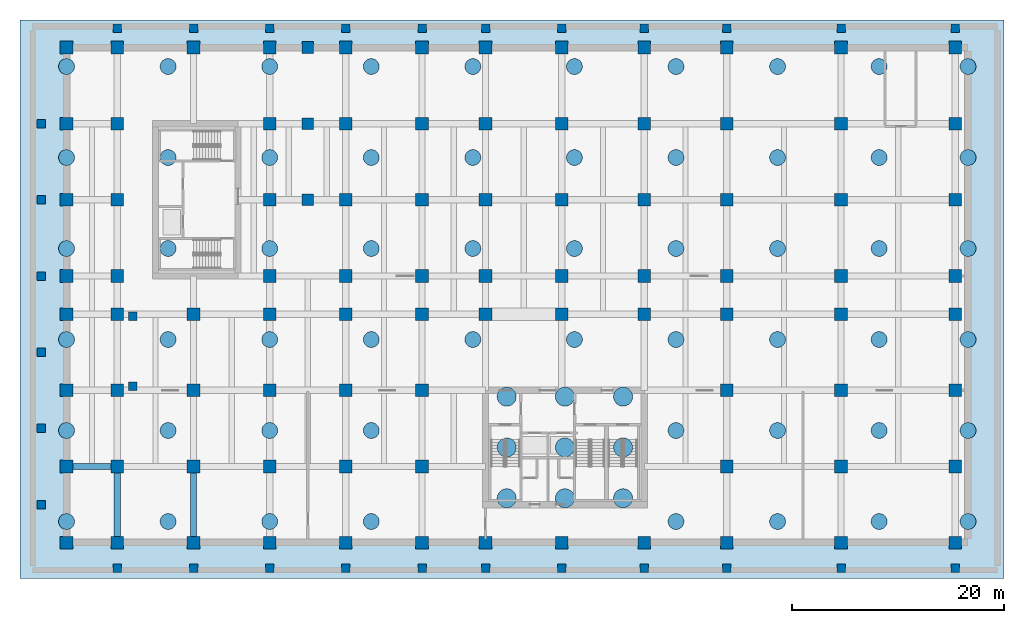
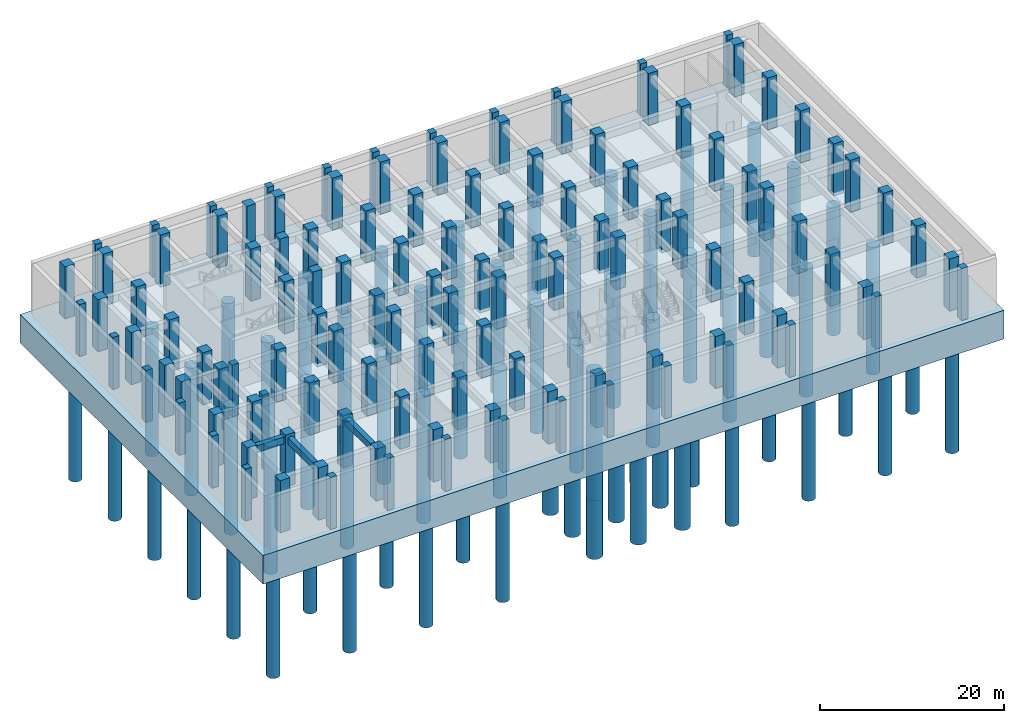
# One storey, part 1 of 13: 120 columns, 65 piles, 3 beams, 1 footing.
"""IFC4 building model written with IfcOpenShell, lengths in metres."""

from ifc_helpers import new_model, si_unit, derived_unit, direction, frame, origin, origin_2d, place, context, subcontext, project, spatial, polyline, rectangle, circle, outline, extrude, source, transform, mapped, material, layer, layer_set, material_profile, profile_set, type_object, type_shapes, element, save


model = new_model("IFC4")

# Units and contexts
model_context = context("Model", 3, precision=1e-05, world=origin(), true_north=direction((0.0, 1.0)))
body_context = subcontext(model_context, "Body", "Model", "MODEL_VIEW")
ifc_project = project(units=[si_unit("LENGTHUNIT", "METRE"), si_unit("AREAUNIT", "SQUARE_METRE"), si_unit("VOLUMEUNIT", "CUBIC_METRE"), si_unit("PLANEANGLEUNIT", "RADIAN"), si_unit("MASSUNIT", "GRAM", prefix="KILO"), si_unit("THERMODYNAMICTEMPERATUREUNIT", "KELVIN"), si_unit("POWERUNIT", "WATT"), derived_unit("THERMALTRANSMITTANCEUNIT", [(si_unit("POWERUNIT", "WATT"), 1), (si_unit("AREAUNIT", "SQUARE_METRE"), -1), (si_unit("THERMODYNAMICTEMPERATUREUNIT", "KELVIN"), -1)])], contexts=[model_context])

# Site, building, storey
site_placement = place(None, origin())
site = spatial("IfcSite", under=ifc_project, at=site_placement, CompositionType="ELEMENT")
building_placement = place(site_placement, origin())
building = spatial("IfcBuilding", under=site, at=building_placement, Name="Zahravan Archway Hotel and Residences", CompositionType="ELEMENT")
storey_placement = place(building_placement, frame((0.0, 0.0, -13.0)))
storey = spatial("IfcBuildingStorey", under=building, at=storey_placement, Name="B02", CompositionType="ELEMENT", Elevation=-13.0)

# Footing
ifc_material_1 = material(Name="Concrete C50/60", Category="concrete")
ifc_layer = layer(ifc_material_1, 3.800048828125, Name="Concrete C50/60", Category="concrete")
ifc_layer_set = layer_set([ifc_layer], Name="Concrete C50/60")
footing_type = type_object("IfcFootingType", Name="FT-RAFT-3800", PredefinedType="PAD_FOOTING", material=ifc_layer_set)
footing_placement = place(storey_placement, frame((0.0, 0.0, -4.199951171875)))
element("IfcFooting", 1, at=footing_placement, inside=storey, type_object=footing_type, Name="B02 Unified Piled Raft Foundation 3800 mm", PredefinedType="PAD_FOOTING", context=body_context, shape_type="SweptSolid", body=[
    extrude(outline(polyline([(-9.199951171875, -3.39990234375), (83.800048828125, -3.39990234375), (83.800048828125, 49.39990234375), (-9.199951171875, 49.39990234375), (-9.199951171875, -3.39990234375)])), origin(), (0.0, 0.0, 1.0), 3.800048828125),
])

# Piles
ifc_material_profile_1 = material_profile(ifc_material_1, circle(Radius=0.89990234375, at=origin_2d()), Name="PILE D1800", Category="concrete")
ifc_profile_set_1 = profile_set([ifc_material_profile_1], Name="Concrete C50/60")
pile_type_1 = type_object("IfcPileType", Name="BP-1800", PredefinedType="BORED", material=ifc_profile_set_1)
shared_shape_1 = source(origin(), body_context, "Body", "SweptSolid", [
    extrude(circle(Radius=0.89990234375, at=origin_2d()), origin(), (0.0, 0.0, 1.0), 16.949951171875),
])
type_shapes(pile_type_1, [shared_shape_1])
for number, where, z_axis, x_axis, name in (
    (2, (36.800048828125, 4.199951171875, -4.050048828125), (0.0, 0.0, -1.0), (1.0, 0.0, 0.0), "Core A Bored Pile BP-1800-01"),
    (3, (36.800048828125, 9.0, -4.050048828125), (0.0, 0.0, -1.0), (1.0, 0.0, 0.0), "Core A Bored Pile BP-1800-02"),
    (4, (36.800048828125, 13.800048828125, -4.050048828125), (0.0, 0.0, -1.0), (1.0, 0.0, 0.0), "Core A Bored Pile BP-1800-03"),
    (5, (42.300048828125, 4.199951171875, -4.050048828125), (0.0, 0.0, -1.0), (1.0, 0.0, 0.0), "Core A Bored Pile BP-1800-04"),
    (6, (42.300048828125, 9.0, -4.050048828125), (0.0, 0.0, -1.0), (1.0, 0.0, 0.0), "Core A Bored Pile BP-1800-05"),
    (7, (42.300048828125, 13.800048828125, -4.050048828125), (0.0, 0.0, -1.0), (1.0, 0.0, 0.0), "Core A Bored Pile BP-1800-06"),
    (8, (47.800048828125, 4.199951171875, -4.050048828125), (0.0, 0.0, -1.0), (1.0, 0.0, 0.0), "Core A Bored Pile BP-1800-07"),
    (9, (47.800048828125, 9.0, -4.050048828125), (0.0, 0.0, -1.0), (1.0, 0.0, 0.0), "Core A Bored Pile BP-1800-08"),
    (10, (47.800048828125, 13.800048828125, -4.050048828125), (0.0, 0.0, -1.0), (1.0, 0.0, 0.0), "Core A Bored Pile BP-1800-09"),
):
    element("IfcPile", number, at=place(storey_placement, frame(where, z_axis=z_axis, x_axis=x_axis)), inside=storey, type_object=pile_type_1, Name=name, PredefinedType="BORED", context=body_context, shape_type="MappedRepresentation", body=[
        mapped(shared_shape_1, transform((0.0, 0.0, 0.0), scale=1.0)),
    ])
ifc_material_profile_2 = material_profile(ifc_material_1, circle(Radius=0.75, at=origin_2d()), Name="PILE D1500", Category="concrete")
ifc_profile_set_2 = profile_set([ifc_material_profile_2], Name="Concrete C50/60")
pile_type_2 = type_object("IfcPileType", Name="BP-1500", PredefinedType="BORED", material=ifc_profile_set_2)
shared_shape_2 = source(origin(), body_context, "Body", "SweptSolid", [
    extrude(circle(Radius=0.75, at=origin_2d()), origin(), (0.0, 0.0, 1.0), 16.949951171875),
])
type_shapes(pile_type_2, [shared_shape_2])
for number, where, z_axis, x_axis, name in (
    (11, (-4.800048828125, 2.0, -4.050048828125), (0.0, 0.0, -1.0), (1.0, 0.0, 0.0), "Tower & Station Bored Pile BP-1500-01"),
    (12, (-4.800048828125, 10.60009765625, -4.050048828125), (0.0, 0.0, -1.0), (1.0, 0.0, 0.0), "Tower & Station Bored Pile BP-1500-02"),
    (13, (-4.800048828125, 19.199951171875, -4.050048828125), (0.0, 0.0, -1.0), (1.0, 0.0, 0.0), "Tower & Station Bored Pile BP-1500-03"),
    (14, (-4.800048828125, 27.800048828125, -4.050048828125), (0.0, 0.0, -1.0), (1.0, 0.0, 0.0), "Tower & Station Bored Pile BP-1500-04"),
    (15, (-4.800048828125, 36.39990234375, -4.050048828125), (0.0, 0.0, -1.0), (1.0, 0.0, 0.0), "Tower & Station Bored Pile BP-1500-05"),
    (16, (-4.800048828125, 45.0, -4.050048828125), (0.0, 0.0, -1.0), (1.0, 0.0, 0.0), "Tower & Station Bored Pile BP-1500-06"),
    (17, (4.800048828125, 2.0, -4.050048828125), (0.0, 0.0, -1.0), (1.0, 0.0, 0.0), "Tower & Station Bored Pile BP-1500-07"),
    (18, (4.800048828125, 10.60009765625, -4.050048828125), (0.0, 0.0, -1.0), (1.0, 0.0, 0.0), "Tower & Station Bored Pile BP-1500-08"),
    (19, (4.800048828125, 19.199951171875, -4.050048828125), (0.0, 0.0, -1.0), (1.0, 0.0, 0.0), "Tower & Station Bored Pile BP-1500-09"),
    (20, (4.800048828125, 27.800048828125, -4.050048828125), (0.0, 0.0, -1.0), (1.0, 0.0, 0.0), "Tower & Station Bored Pile BP-1500-10"),
    (21, (4.800048828125, 36.39990234375, -4.050048828125), (0.0, 0.0, -1.0), (1.0, 0.0, 0.0), "Tower & Station Bored Pile BP-1500-11"),
    (22, (4.800048828125, 45.0, -4.050048828125), (0.0, 0.0, -1.0), (1.0, 0.0, 0.0), "Tower & Station Bored Pile BP-1500-12"),
    (23, (14.39990234375, 2.0, -4.050048828125), (0.0, 0.0, -1.0), (1.0, 0.0, 0.0), "Tower & Station Bored Pile BP-1500-13"),
    (24, (14.39990234375, 10.60009765625, -4.050048828125), (0.0, 0.0, -1.0), (1.0, 0.0, 0.0), "Tower & Station Bored Pile BP-1500-14"),
    (25, (14.39990234375, 19.199951171875, -4.050048828125), (0.0, 0.0, -1.0), (1.0, 0.0, 0.0), "Tower & Station Bored Pile BP-1500-15"),
    (26, (14.39990234375, 27.800048828125, -4.050048828125), (0.0, 0.0, -1.0), (1.0, 0.0, 0.0), "Tower & Station Bored Pile BP-1500-16"),
    (27, (14.39990234375, 36.39990234375, -4.050048828125), (0.0, 0.0, -1.0), (1.0, 0.0, 0.0), "Tower & Station Bored Pile BP-1500-17"),
    (28, (14.39990234375, 45.0, -4.050048828125), (0.0, 0.0, -1.0), (1.0, 0.0, 0.0), "Tower & Station Bored Pile BP-1500-18"),
    (29, (24.0, 2.0, -4.050048828125), (0.0, 0.0, -1.0), (1.0, 0.0, 0.0), "Tower & Station Bored Pile BP-1500-19"),
    (30, (24.0, 10.60009765625, -4.050048828125), (0.0, 0.0, -1.0), (1.0, 0.0, 0.0), "Tower & Station Bored Pile BP-1500-20"),
    (31, (24.0, 19.199951171875, -4.050048828125), (0.0, 0.0, -1.0), (1.0, 0.0, 0.0), "Tower & Station Bored Pile BP-1500-21"),
    (32, (24.0, 27.800048828125, -4.050048828125), (0.0, 0.0, -1.0), (1.0, 0.0, 0.0), "Tower & Station Bored Pile BP-1500-22"),
    (33, (24.0, 36.39990234375, -4.050048828125), (0.0, 0.0, -1.0), (1.0, 0.0, 0.0), "Tower & Station Bored Pile BP-1500-23"),
    (34, (24.0, 45.0, -4.050048828125), (0.0, 0.0, -1.0), (1.0, 0.0, 0.0), "Tower & Station Bored Pile BP-1500-24"),
    (35, (33.60009765625, 19.199951171875, -4.050048828125), (0.0, 0.0, -1.0), (1.0, 0.0, 0.0), "Tower & Station Bored Pile BP-1500-25"),
    (36, (33.60009765625, 27.800048828125, -4.050048828125), (0.0, 0.0, -1.0), (1.0, 0.0, 0.0), "Tower & Station Bored Pile BP-1500-26"),
    (37, (33.60009765625, 36.39990234375, -4.050048828125), (0.0, 0.0, -1.0), (1.0, 0.0, 0.0), "Tower & Station Bored Pile BP-1500-27"),
    (38, (33.60009765625, 45.0, -4.050048828125), (0.0, 0.0, -1.0), (1.0, 0.0, 0.0), "Tower & Station Bored Pile BP-1500-28"),
    (39, (43.199951171875, 19.199951171875, -4.050048828125), (0.0, 0.0, -1.0), (1.0, 0.0, 0.0), "Tower & Station Bored Pile BP-1500-29"),
    (40, (43.199951171875, 27.800048828125, -4.050048828125), (0.0, 0.0, -1.0), (1.0, 0.0, 0.0), "Tower & Station Bored Pile BP-1500-30"),
    (41, (43.199951171875, 36.39990234375, -4.050048828125), (0.0, 0.0, -1.0), (1.0, 0.0, 0.0), "Tower & Station Bored Pile BP-1500-31"),
    (42, (43.199951171875, 45.0, -4.050048828125), (0.0, 0.0, -1.0), (1.0, 0.0, 0.0), "Tower & Station Bored Pile BP-1500-32"),
    (43, (52.800048828125, 2.0, -4.050048828125), (0.0, 0.0, -1.0), (1.0, 0.0, 0.0), "Tower & Station Bored Pile BP-1500-33"),
    (44, (52.800048828125, 10.60009765625, -4.050048828125), (0.0, 0.0, -1.0), (1.0, 0.0, 0.0), "Tower & Station Bored Pile BP-1500-34"),
    (45, (52.800048828125, 19.199951171875, -4.050048828125), (0.0, 0.0, -1.0), (1.0, 0.0, 0.0), "Tower & Station Bored Pile BP-1500-35"),
    (46, (52.800048828125, 27.800048828125, -4.050048828125), (0.0, 0.0, -1.0), (1.0, 0.0, 0.0), "Tower & Station Bored Pile BP-1500-36"),
    (47, (52.800048828125, 36.39990234375, -4.050048828125), (0.0, 0.0, -1.0), (1.0, 0.0, 0.0), "Tower & Station Bored Pile BP-1500-37"),
    (48, (52.800048828125, 45.0, -4.050048828125), (0.0, 0.0, -1.0), (1.0, 0.0, 0.0), "Tower & Station Bored Pile BP-1500-38"),
    (49, (62.39990234375, 2.0, -4.050048828125), (0.0, 0.0, -1.0), (1.0, 0.0, 0.0), "Tower & Station Bored Pile BP-1500-39"),
    (50, (62.39990234375, 10.60009765625, -4.050048828125), (0.0, 0.0, -1.0), (1.0, 0.0, 0.0), "Tower & Station Bored Pile BP-1500-40"),
    (51, (62.39990234375, 19.199951171875, -4.050048828125), (0.0, 0.0, -1.0), (1.0, 0.0, 0.0), "Tower & Station Bored Pile BP-1500-41"),
    (52, (62.39990234375, 27.800048828125, -4.050048828125), (0.0, 0.0, -1.0), (1.0, 0.0, 0.0), "Tower & Station Bored Pile BP-1500-42"),
    (53, (62.39990234375, 36.39990234375, -4.050048828125), (0.0, 0.0, -1.0), (1.0, 0.0, 0.0), "Tower & Station Bored Pile BP-1500-43"),
    (54, (62.39990234375, 45.0, -4.050048828125), (0.0, 0.0, -1.0), (1.0, 0.0, 0.0), "Tower & Station Bored Pile BP-1500-44"),
    (55, (72.0, 2.0, -4.050048828125), (0.0, 0.0, -1.0), (1.0, 0.0, 0.0), "Tower & Station Bored Pile BP-1500-45"),
    (56, (72.0, 10.60009765625, -4.050048828125), (0.0, 0.0, -1.0), (1.0, 0.0, 0.0), "Tower & Station Bored Pile BP-1500-46"),
    (57, (72.0, 19.199951171875, -4.050048828125), (0.0, 0.0, -1.0), (1.0, 0.0, 0.0), "Tower & Station Bored Pile BP-1500-47"),
    (58, (72.0, 27.800048828125, -4.050048828125), (0.0, 0.0, -1.0), (1.0, 0.0, 0.0), "Tower & Station Bored Pile BP-1500-48"),
    (59, (72.0, 36.39990234375, -4.050048828125), (0.0, 0.0, -1.0), (1.0, 0.0, 0.0), "Tower & Station Bored Pile BP-1500-49"),
    (60, (72.0, 45.0, -4.050048828125), (0.0, 0.0, -1.0), (1.0, 0.0, 0.0), "Tower & Station Bored Pile BP-1500-50"),
    (61, (80.39990234375, 2.0, -4.050048828125), (0.0, 0.0, -1.0), (1.0, 0.0, 0.0), "Tower & Station Bored Pile BP-1500-51"),
    (62, (80.39990234375, 10.60009765625, -4.050048828125), (0.0, 0.0, -1.0), (1.0, 0.0, 0.0), "Tower & Station Bored Pile BP-1500-52"),
    (63, (80.39990234375, 19.199951171875, -4.050048828125), (0.0, 0.0, -1.0), (1.0, 0.0, 0.0), "Tower & Station Bored Pile BP-1500-53"),
    (64, (80.39990234375, 27.800048828125, -4.050048828125), (0.0, 0.0, -1.0), (1.0, 0.0, 0.0), "Tower & Station Bored Pile BP-1500-54"),
    (65, (80.39990234375, 36.39990234375, -4.050048828125), (0.0, 0.0, -1.0), (1.0, 0.0, 0.0), "Tower & Station Bored Pile BP-1500-55"),
    (66, (80.39990234375, 45.0, -4.050048828125), (0.0, 0.0, -1.0), (1.0, 0.0, 0.0), "Tower & Station Bored Pile BP-1500-56"),
):
    element("IfcPile", number, at=place(storey_placement, frame(where, z_axis=z_axis, x_axis=x_axis)), inside=storey, type_object=pile_type_2, Name=name, PredefinedType="BORED", context=body_context, shape_type="MappedRepresentation", body=[
        mapped(shared_shape_2, transform((0.0, 0.0, 0.0), scale=1.0)),
    ])

# Columns
ifc_material_2 = material(Name="Concrete C70/85", Category="concrete")
ifc_material_profile_3 = material_profile(ifc_material_2, rectangle(XDim=1.199951171875, YDim=1.199951171875, at=origin_2d()), Name="RC-COL-1200x1200", Category="concrete")
ifc_profile_set_3 = profile_set([ifc_material_profile_3], Name="Concrete C70/85")
column_type_1 = type_object("IfcColumnType", Name="COL-RC-1200", PredefinedType="COLUMN", material=ifc_profile_set_3)
shared_shape_3 = source(origin(), body_context, "Body", "SweptSolid", [
    extrude(rectangle(XDim=1.199951171875, YDim=1.199951171875, at=origin_2d()), origin(), (0.0, 0.0, 1.0), 6.89990234375),
])
type_shapes(column_type_1, [shared_shape_3])
for number, where, z_axis, x_axis, name in (
    (67, (-4.800048828125, 0.0, -0.39990234375), (0.0, 0.0, 1.0), (1.0, 0.0, 0.0), "B02 Column 0-A"),
    (68, (-4.800048828125, 7.199951171875, -0.39990234375), (0.0, 0.0, 1.0), (1.0, 0.0, 0.0), "B02 Column 0-B"),
    (69, (-4.800048828125, 14.39990234375, -0.39990234375), (0.0, 0.0, 1.0), (1.0, 0.0, 0.0), "B02 Column 0-C"),
    (70, (-4.800048828125, 21.60009765625, -0.39990234375), (0.0, 0.0, 1.0), (1.0, 0.0, 0.0), "B02 Column 0-D"),
    (71, (-4.800048828125, 25.199951171875, -0.39990234375), (0.0, 0.0, 1.0), (1.0, 0.0, 0.0), "B02 Column 0-E"),
    (72, (-4.800048828125, 32.39990234375, -0.39990234375), (0.0, 0.0, 1.0), (1.0, 0.0, 0.0), "B02 Column 0-F"),
    (73, (-4.800048828125, 39.60009765625, -0.39990234375), (0.0, 0.0, 1.0), (1.0, 0.0, 0.0), "B02 Column 0-G"),
    (74, (-4.800048828125, 46.800048828125, -0.39990234375), (0.0, 0.0, 1.0), (1.0, 0.0, 0.0), "B02 Column 0-H"),
    (75, (0.0, 0.0, -0.39990234375), (0.0, 0.0, 1.0), (1.0, 0.0, 0.0), "B02 Column 1-A"),
    (76, (0.0, 7.199951171875, -0.39990234375), (0.0, 0.0, 1.0), (1.0, 0.0, 0.0), "B02 Column 1-B"),
    (77, (0.0, 14.39990234375, -0.39990234375), (0.0, 0.0, 1.0), (1.0, 0.0, 0.0), "B02 Column 1-C"),
    (78, (0.0, 21.60009765625, -0.39990234375), (0.0, 0.0, 1.0), (1.0, 0.0, 0.0), "B02 Column 1-D"),
    (79, (0.0, 25.199951171875, -0.39990234375), (0.0, 0.0, 1.0), (1.0, 0.0, 0.0), "B02 Column 1-E"),
    (80, (0.0, 32.39990234375, -0.39990234375), (0.0, 0.0, 1.0), (1.0, 0.0, 0.0), "B02 Column 1-F"),
    (81, (0.0, 39.60009765625, -0.39990234375), (0.0, 0.0, 1.0), (1.0, 0.0, 0.0), "B02 Column 1-G"),
    (82, (0.0, 46.800048828125, -0.39990234375), (0.0, 0.0, 1.0), (1.0, 0.0, 0.0), "B02 Column 1-H"),
    (83, (7.199951171875, 0.0, -0.39990234375), (0.0, 0.0, 1.0), (1.0, 0.0, 0.0), "B02 Column 2-A"),
    (84, (7.199951171875, 7.199951171875, -0.39990234375), (0.0, 0.0, 1.0), (1.0, 0.0, 0.0), "B02 Column 2-B"),
    (85, (7.199951171875, 14.39990234375, -0.39990234375), (0.0, 0.0, 1.0), (1.0, 0.0, 0.0), "B02 Column 2-C"),
    (86, (7.199951171875, 21.60009765625, -0.39990234375), (0.0, 0.0, 1.0), (1.0, 0.0, 0.0), "B02 Column 2-D"),
    (87, (7.199951171875, 46.800048828125, -0.39990234375), (0.0, 0.0, 1.0), (1.0, 0.0, 0.0), "B02 Column 2-H"),
    (88, (14.39990234375, 0.0, -0.39990234375), (0.0, 0.0, 1.0), (1.0, 0.0, 0.0), "B02 Column 3-A"),
    (89, (14.39990234375, 7.199951171875, -0.39990234375), (0.0, 0.0, 1.0), (1.0, 0.0, 0.0), "B02 Column 3-B"),
    (90, (14.39990234375, 14.39990234375, -0.39990234375), (0.0, 0.0, 1.0), (1.0, 0.0, 0.0), "B02 Column 3-C"),
    (91, (14.39990234375, 21.60009765625, -0.39990234375), (0.0, 0.0, 1.0), (1.0, 0.0, 0.0), "B02 Column 3-D"),
    (92, (14.39990234375, 25.199951171875, -0.39990234375), (0.0, 0.0, 1.0), (1.0, 0.0, 0.0), "B02 Column 3-E"),
    (93, (14.39990234375, 32.39990234375, -0.39990234375), (0.0, 0.0, 1.0), (1.0, 0.0, 0.0), "B02 Column 3-F"),
    (94, (14.39990234375, 39.60009765625, -0.39990234375), (0.0, 0.0, 1.0), (1.0, 0.0, 0.0), "B02 Column 3-G"),
    (95, (14.39990234375, 46.800048828125, -0.39990234375), (0.0, 0.0, 1.0), (1.0, 0.0, 0.0), "B02 Column 3-H"),
    (96, (21.60009765625, 0.0, -0.39990234375), (0.0, 0.0, 1.0), (1.0, 0.0, 0.0), "B02 Column 4-A"),
    (97, (21.60009765625, 7.199951171875, -0.39990234375), (0.0, 0.0, 1.0), (1.0, 0.0, 0.0), "B02 Column 4-B"),
    (98, (21.60009765625, 14.39990234375, -0.39990234375), (0.0, 0.0, 1.0), (1.0, 0.0, 0.0), "B02 Column 4-C"),
    (99, (21.60009765625, 21.60009765625, -0.39990234375), (0.0, 0.0, 1.0), (1.0, 0.0, 0.0), "B02 Column 4-D"),
    (100, (21.60009765625, 25.199951171875, -0.39990234375), (0.0, 0.0, 1.0), (1.0, 0.0, 0.0), "B02 Column 4-E"),
    (101, (21.60009765625, 32.39990234375, -0.39990234375), (0.0, 0.0, 1.0), (1.0, 0.0, 0.0), "B02 Column 4-F"),
    (102, (21.60009765625, 39.60009765625, -0.39990234375), (0.0, 0.0, 1.0), (1.0, 0.0, 0.0), "B02 Column 4-G"),
    (103, (21.60009765625, 46.800048828125, -0.39990234375), (0.0, 0.0, 1.0), (1.0, 0.0, 0.0), "B02 Column 4-H"),
    (104, (28.800048828125, 0.0, -0.39990234375), (0.0, 0.0, 1.0), (1.0, 0.0, 0.0), "B02 Column 5-A"),
    (105, (28.800048828125, 7.199951171875, -0.39990234375), (0.0, 0.0, 1.0), (1.0, 0.0, 0.0), "B02 Column 5-B"),
    (106, (28.800048828125, 14.39990234375, -0.39990234375), (0.0, 0.0, 1.0), (1.0, 0.0, 0.0), "B02 Column 5-C"),
    (107, (28.800048828125, 21.60009765625, -0.39990234375), (0.0, 0.0, 1.0), (1.0, 0.0, 0.0), "B02 Column 5-D"),
    (108, (28.800048828125, 25.199951171875, -0.39990234375), (0.0, 0.0, 1.0), (1.0, 0.0, 0.0), "B02 Column 5-E"),
    (109, (28.800048828125, 32.39990234375, -0.39990234375), (0.0, 0.0, 1.0), (1.0, 0.0, 0.0), "B02 Column 5-F"),
    (110, (28.800048828125, 39.60009765625, -0.39990234375), (0.0, 0.0, 1.0), (1.0, 0.0, 0.0), "B02 Column 5-G"),
    (111, (28.800048828125, 46.800048828125, -0.39990234375), (0.0, 0.0, 1.0), (1.0, 0.0, 0.0), "B02 Column 5-H"),
    (112, (34.800048828125, 0.0, -0.39990234375), (0.0, 0.0, 1.0), (1.0, 0.0, 0.0), "B02 Column 6-A"),
    (113, (34.800048828125, 21.60009765625, -0.39990234375), (0.0, 0.0, 1.0), (1.0, 0.0, 0.0), "B02 Column 6-D"),
    (114, (34.800048828125, 25.199951171875, -0.39990234375), (0.0, 0.0, 1.0), (1.0, 0.0, 0.0), "B02 Column 6-E"),
    (115, (34.800048828125, 32.39990234375, -0.39990234375), (0.0, 0.0, 1.0), (1.0, 0.0, 0.0), "B02 Column 6-F"),
    (116, (34.800048828125, 39.60009765625, -0.39990234375), (0.0, 0.0, 1.0), (1.0, 0.0, 0.0), "B02 Column 6-G"),
    (117, (34.800048828125, 46.800048828125, -0.39990234375), (0.0, 0.0, 1.0), (1.0, 0.0, 0.0), "B02 Column 6-H"),
    (118, (42.0, 0.0, -0.39990234375), (0.0, 0.0, 1.0), (1.0, 0.0, 0.0), "B02 Column 7-A"),
    (119, (42.0, 21.60009765625, -0.39990234375), (0.0, 0.0, 1.0), (1.0, 0.0, 0.0), "B02 Column 7-D"),
    (120, (42.0, 25.199951171875, -0.39990234375), (0.0, 0.0, 1.0), (1.0, 0.0, 0.0), "B02 Column 7-E"),
    (121, (42.0, 32.39990234375, -0.39990234375), (0.0, 0.0, 1.0), (1.0, 0.0, 0.0), "B02 Column 7-F"),
    (122, (42.0, 39.60009765625, -0.39990234375), (0.0, 0.0, 1.0), (1.0, 0.0, 0.0), "B02 Column 7-G"),
    (123, (42.0, 46.800048828125, -0.39990234375), (0.0, 0.0, 1.0), (1.0, 0.0, 0.0), "B02 Column 7-H"),
    (124, (49.800048828125, 0.0, -0.39990234375), (0.0, 0.0, 1.0), (1.0, 0.0, 0.0), "B02 Column 8-A"),
    (125, (49.800048828125, 21.60009765625, -0.39990234375), (0.0, 0.0, 1.0), (1.0, 0.0, 0.0), "B02 Column 8-D"),
    (126, (49.800048828125, 25.199951171875, -0.39990234375), (0.0, 0.0, 1.0), (1.0, 0.0, 0.0), "B02 Column 8-E"),
    (127, (49.800048828125, 32.39990234375, -0.39990234375), (0.0, 0.0, 1.0), (1.0, 0.0, 0.0), "B02 Column 8-F"),
    (128, (49.800048828125, 39.60009765625, -0.39990234375), (0.0, 0.0, 1.0), (1.0, 0.0, 0.0), "B02 Column 8-G"),
    (129, (49.800048828125, 46.800048828125, -0.39990234375), (0.0, 0.0, 1.0), (1.0, 0.0, 0.0), "B02 Column 8-H"),
    (130, (57.60009765625, 0.0, -0.39990234375), (0.0, 0.0, 1.0), (1.0, 0.0, 0.0), "B02 Column 9-A"),
    (131, (57.60009765625, 7.199951171875, -0.39990234375), (0.0, 0.0, 1.0), (1.0, 0.0, 0.0), "B02 Column 9-B"),
    (132, (57.60009765625, 14.39990234375, -0.39990234375), (0.0, 0.0, 1.0), (1.0, 0.0, 0.0), "B02 Column 9-C"),
    (133, (57.60009765625, 21.60009765625, -0.39990234375), (0.0, 0.0, 1.0), (1.0, 0.0, 0.0), "B02 Column 9-D"),
    (134, (57.60009765625, 25.199951171875, -0.39990234375), (0.0, 0.0, 1.0), (1.0, 0.0, 0.0), "B02 Column 9-E"),
    (135, (57.60009765625, 32.39990234375, -0.39990234375), (0.0, 0.0, 1.0), (1.0, 0.0, 0.0), "B02 Column 9-F"),
    (136, (57.60009765625, 39.60009765625, -0.39990234375), (0.0, 0.0, 1.0), (1.0, 0.0, 0.0), "B02 Column 9-G"),
    (137, (57.60009765625, 46.800048828125, -0.39990234375), (0.0, 0.0, 1.0), (1.0, 0.0, 0.0), "B02 Column 9-H"),
    (138, (68.39990234375, 0.0, -0.39990234375), (0.0, 0.0, 1.0), (1.0, 0.0, 0.0), "B02 Column 10-A"),
    (139, (68.39990234375, 7.199951171875, -0.39990234375), (0.0, 0.0, 1.0), (1.0, 0.0, 0.0), "B02 Column 10-B"),
    (140, (68.39990234375, 14.39990234375, -0.39990234375), (0.0, 0.0, 1.0), (1.0, 0.0, 0.0), "B02 Column 10-C"),
    (141, (68.39990234375, 21.60009765625, -0.39990234375), (0.0, 0.0, 1.0), (1.0, 0.0, 0.0), "B02 Column 10-D"),
    (142, (68.39990234375, 25.199951171875, -0.39990234375), (0.0, 0.0, 1.0), (1.0, 0.0, 0.0), "B02 Column 10-E"),
    (143, (68.39990234375, 32.39990234375, -0.39990234375), (0.0, 0.0, 1.0), (1.0, 0.0, 0.0), "B02 Column 10-F"),
    (144, (68.39990234375, 39.60009765625, -0.39990234375), (0.0, 0.0, 1.0), (1.0, 0.0, 0.0), "B02 Column 10-G"),
    (145, (68.39990234375, 46.800048828125, -0.39990234375), (0.0, 0.0, 1.0), (1.0, 0.0, 0.0), "B02 Column 10-H"),
    (146, (79.199951171875, 0.0, -0.39990234375), (0.0, 0.0, 1.0), (1.0, 0.0, 0.0), "B02 Column 11-A"),
    (147, (79.199951171875, 7.199951171875, -0.39990234375), (0.0, 0.0, 1.0), (1.0, 0.0, 0.0), "B02 Column 11-B"),
    (148, (79.199951171875, 14.39990234375, -0.39990234375), (0.0, 0.0, 1.0), (1.0, 0.0, 0.0), "B02 Column 11-C"),
    (149, (79.199951171875, 21.60009765625, -0.39990234375), (0.0, 0.0, 1.0), (1.0, 0.0, 0.0), "B02 Column 11-D"),
    (150, (79.199951171875, 25.199951171875, -0.39990234375), (0.0, 0.0, 1.0), (1.0, 0.0, 0.0), "B02 Column 11-E"),
    (151, (79.199951171875, 32.39990234375, -0.39990234375), (0.0, 0.0, 1.0), (1.0, 0.0, 0.0), "B02 Column 11-F"),
    (152, (79.199951171875, 39.60009765625, -0.39990234375), (0.0, 0.0, 1.0), (1.0, 0.0, 0.0), "B02 Column 11-G"),
    (153, (79.199951171875, 46.800048828125, -0.39990234375), (0.0, 0.0, 1.0), (1.0, 0.0, 0.0), "B02 Column 11-H"),
):
    element("IfcColumn", number, at=place(storey_placement, frame(where, z_axis=z_axis, x_axis=x_axis)), inside=storey, type_object=column_type_1, Name=name, PredefinedType="COLUMN", context=body_context, shape_type="MappedRepresentation", body=[
        mapped(shared_shape_3, transform((0.0, 0.0, 0.0), scale=1.0)),
    ])
ifc_material_profile_4 = material_profile(ifc_material_1, rectangle(XDim=0.800048828125, YDim=0.800048828125, at=origin_2d()), Name="RC-COL-800x800", Category="concrete")
ifc_profile_set_4 = profile_set([ifc_material_profile_4], Name="Concrete C50/60")
column_type_2 = type_object("IfcColumnType", Name="COL-RC-800", PredefinedType="COLUMN", material=ifc_profile_set_4)
shared_shape_4 = source(origin(), body_context, "Body", "SweptSolid", [
    extrude(rectangle(XDim=0.800048828125, YDim=0.800048828125, at=origin_2d()), origin(), (0.0, 0.0, 1.0), 6.89990234375),
])
type_shapes(column_type_2, [shared_shape_4])
for number, where, z_axis, x_axis, name in (
    (154, (-7.199951171875, 3.60009765625, -0.39990234375), (0.0, 0.0, 1.0), (1.0, 0.0, 0.0), "B02 Column WCOL-1"),
    (155, (-7.199951171875, 10.800048828125, -0.39990234375), (0.0, 0.0, 1.0), (1.0, 0.0, 0.0), "B02 Column WCOL-2"),
    (156, (-7.199951171875, 18.0, -0.39990234375), (0.0, 0.0, 1.0), (1.0, 0.0, 0.0), "B02 Column WCOL-3"),
    (157, (-7.199951171875, 25.199951171875, -0.39990234375), (0.0, 0.0, 1.0), (1.0, 0.0, 0.0), "B02 Column WCOL-4"),
    (158, (-7.199951171875, 32.39990234375, -0.39990234375), (0.0, 0.0, 1.0), (1.0, 0.0, 0.0), "B02 Column WCOL-5"),
    (159, (-7.199951171875, 39.60009765625, -0.39990234375), (0.0, 0.0, 1.0), (1.0, 0.0, 0.0), "B02 Column WCOL-6"),
    (160, (0.0, -2.39990234375, -0.39990234375), (0.0, 0.0, 1.0), (1.0, 0.0, 0.0), "B02 Column SCOL-1"),
    (161, (0.0, 48.60009765625, -0.39990234375), (0.0, 0.0, 1.0), (1.0, 0.0, 0.0), "B02 Column NCOL-1"),
    (162, (7.199951171875, -2.39990234375, -0.39990234375), (0.0, 0.0, 1.0), (1.0, 0.0, 0.0), "B02 Column SCOL-2"),
    (163, (7.199951171875, 48.60009765625, -0.39990234375), (0.0, 0.0, 1.0), (1.0, 0.0, 0.0), "B02 Column NCOL-2"),
    (164, (14.39990234375, -2.39990234375, -0.39990234375), (0.0, 0.0, 1.0), (1.0, 0.0, 0.0), "B02 Column SCOL-3"),
    (165, (14.39990234375, 48.60009765625, -0.39990234375), (0.0, 0.0, 1.0), (1.0, 0.0, 0.0), "B02 Column NCOL-3"),
    (166, (21.60009765625, -2.39990234375, -0.39990234375), (0.0, 0.0, 1.0), (1.0, 0.0, 0.0), "B02 Column SCOL-4"),
    (167, (21.60009765625, 48.60009765625, -0.39990234375), (0.0, 0.0, 1.0), (1.0, 0.0, 0.0), "B02 Column NCOL-4"),
    (168, (28.800048828125, -2.39990234375, -0.39990234375), (0.0, 0.0, 1.0), (1.0, 0.0, 0.0), "B02 Column SCOL-5"),
    (169, (28.800048828125, 48.60009765625, -0.39990234375), (0.0, 0.0, 1.0), (1.0, 0.0, 0.0), "B02 Column NCOL-5"),
    (170, (34.800048828125, -2.39990234375, -0.39990234375), (0.0, 0.0, 1.0), (1.0, 0.0, 0.0), "B02 Column SCOL-6"),
    (171, (34.800048828125, 48.60009765625, -0.39990234375), (0.0, 0.0, 1.0), (1.0, 0.0, 0.0), "B02 Column NCOL-6"),
    (172, (42.0, -2.39990234375, -0.39990234375), (0.0, 0.0, 1.0), (1.0, 0.0, 0.0), "B02 Column SCOL-7"),
    (173, (42.0, 48.60009765625, -0.39990234375), (0.0, 0.0, 1.0), (1.0, 0.0, 0.0), "B02 Column NCOL-7"),
    (174, (49.800048828125, -2.39990234375, -0.39990234375), (0.0, 0.0, 1.0), (1.0, 0.0, 0.0), "B02 Column SCOL-8"),
    (175, (49.800048828125, 48.60009765625, -0.39990234375), (0.0, 0.0, 1.0), (1.0, 0.0, 0.0), "B02 Column NCOL-8"),
    (176, (57.60009765625, -2.39990234375, -0.39990234375), (0.0, 0.0, 1.0), (1.0, 0.0, 0.0), "B02 Column SCOL-9"),
    (177, (57.60009765625, 48.60009765625, -0.39990234375), (0.0, 0.0, 1.0), (1.0, 0.0, 0.0), "B02 Column NCOL-9"),
    (178, (68.39990234375, -2.39990234375, -0.39990234375), (0.0, 0.0, 1.0), (1.0, 0.0, 0.0), "B02 Column SCOL-10"),
    (179, (68.39990234375, 48.60009765625, -0.39990234375), (0.0, 0.0, 1.0), (1.0, 0.0, 0.0), "B02 Column NCOL-10"),
    (180, (79.199951171875, -2.39990234375, -0.39990234375), (0.0, 0.0, 1.0), (1.0, 0.0, 0.0), "B02 Column SCOL-11"),
    (181, (79.199951171875, 48.60009765625, -0.39990234375), (0.0, 0.0, 1.0), (1.0, 0.0, 0.0), "B02 Column NCOL-11"),
    (182, (1.449951171875, 14.800048828125, -0.39990234375), (0.0, 0.0, 1.0), (1.0, 0.0, 0.0), "B02 Column RMPB2-1"),
    (183, (1.449951171875, 21.39990234375, -0.39990234375), (0.0, 0.0, 1.0), (1.0, 0.0, 0.0), "B02 Column RMPB2-2"),
):
    element("IfcColumn", number, at=place(storey_placement, frame(where, z_axis=z_axis, x_axis=x_axis)), inside=storey, type_object=column_type_2, Name=name, PredefinedType="COLUMN", context=body_context, shape_type="MappedRepresentation", body=[
        mapped(shared_shape_4, transform((0.0, 0.0, 0.0), scale=1.0)),
    ])
ifc_material_profile_5 = material_profile(ifc_material_2, rectangle(XDim=1.10009765625, YDim=1.10009765625, at=origin_2d()), Name="RC 1100x1100", Category="concrete")
ifc_profile_set_5 = profile_set([ifc_material_profile_5], Name="Concrete C70/85")
column_type_3 = type_object("IfcColumnType", Name="COL-RC-1100", PredefinedType="COLUMN", material=ifc_profile_set_5)
shared_shape_5 = source(origin(), body_context, "Body", "SweptSolid", [
    extrude(rectangle(XDim=1.10009765625, YDim=1.10009765625, at=origin_2d()), origin(), (0.0, 0.0, 1.0), 6.89990234375),
])
type_shapes(column_type_3, [shared_shape_5])
for number, where, z_axis, x_axis, name in (
    (184, (18.0, 32.39990234375, -0.39990234375), (0.0, 0.0, 1.0), (1.0, 0.0, 0.0), "B02 Column 3B-F"),
    (185, (18.0, 39.60009765625, -0.39990234375), (0.0, 0.0, 1.0), (1.0, 0.0, 0.0), "B02 Column 3B-G"),
    (186, (18.0, 46.800048828125, -0.39990234375), (0.0, 0.0, 1.0), (1.0, 0.0, 0.0), "B02 Column 3B-H"),
):
    element("IfcColumn", number, at=place(storey_placement, frame(where, z_axis=z_axis, x_axis=x_axis)), inside=storey, type_object=column_type_3, Name=name, PredefinedType="COLUMN", context=body_context, shape_type="MappedRepresentation", body=[
        mapped(shared_shape_5, transform((0.0, 0.0, 0.0), scale=1.0)),
    ])

# Beams
ifc_material_profile_6 = material_profile(ifc_material_1, rectangle(XDim=0.60009765625, YDim=0.89990234375, at=origin_2d()), Name="RC-BM-600x900", Category="concrete")
ifc_profile_set_6 = profile_set([ifc_material_profile_6], Name="Concrete C50/60")
beam_type = type_object("IfcBeamType", Name="BM-RC-600x900", PredefinedType="BEAM", material=ifc_profile_set_6)
shared_shape_6 = source(origin(), body_context, "Body", "SweptSolid", [
    extrude(rectangle(XDim=0.60009765625, YDim=0.89990234375, at=origin_2d()), origin(), (0.0, 0.0, 1.0), 4.800048828125),
])
type_shapes(beam_type, [shared_shape_6])
beam_placement = place(storey_placement, frame((-4.800048828125, 7.199951171875, 5.64990234375), z_axis=(1.0, 0.0, 0.0), x_axis=(0.0, 1.0, 0.0)))
element("IfcBeam", 187, at=beam_placement, inside=storey, type_object=beam_type, Name="B02 Primary Girder EW-01", PredefinedType="BEAM", context=body_context, shape_type="MappedRepresentation", body=[
    mapped(shared_shape_6, transform((0.0, 0.0, 0.0), scale=1.0)),
])
shared_shape_7 = source(origin(), body_context, "Body", "SweptSolid", [
    extrude(rectangle(XDim=0.60009765625, YDim=0.89990234375, at=origin_2d()), origin(), (0.0, 0.0, 1.0), 7.199951171875),
])
for number, where, z_axis, x_axis, name in (
    (188, (0.0, 0.0, 5.64990234375), (0.0, 1.0, 0.0), (-1.0, 0.0, 0.0), "B02 Primary Girder NS-61"),
    (189, (7.199951171875, 0.0, 5.64990234375), (0.0, 1.0, 0.0), (-1.0, 0.0, 0.0), "B02 Primary Girder NS-68"),
):
    element("IfcBeam", number, at=place(storey_placement, frame(where, z_axis=z_axis, x_axis=x_axis)), inside=storey, type_object=beam_type, Name=name, PredefinedType="BEAM", context=body_context, shape_type="MappedRepresentation", body=[
        mapped(shared_shape_7, transform((0.0, 0.0, 0.0), scale=1.0)),
    ])

save(model, "model.ifc")
